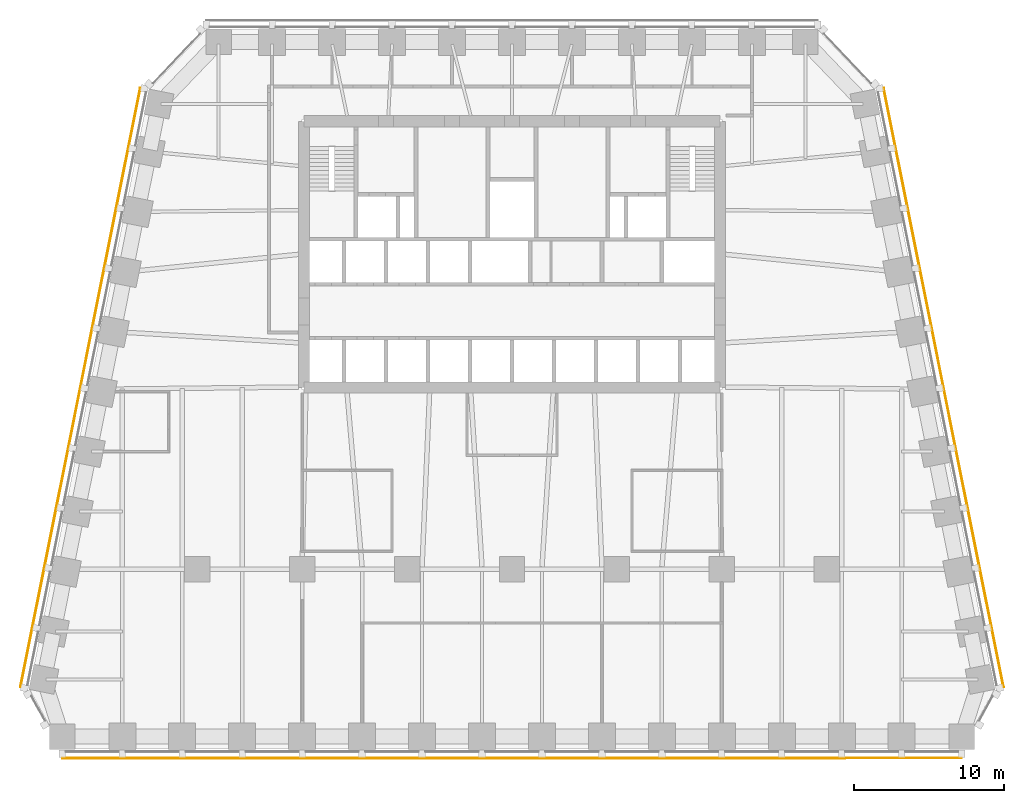
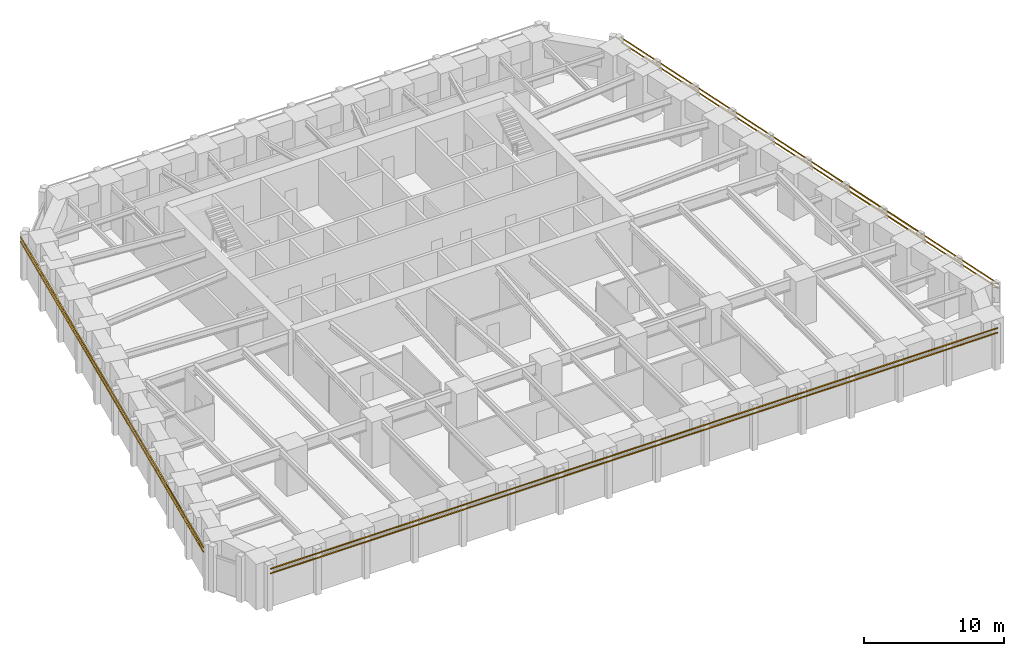
# One storey, part 8 of 9: 6 shading devices.
"""IFC4 building model written with IfcOpenShell, lengths in metres."""

from ifc_helpers import new_model, si_unit, direction, frame, origin, origin_2d, place, context, subcontext, project, spatial, rectangle, extrude, material, material_profile, profile_set, type_object, element, save


model = new_model("IFC4")

# Units and contexts
model_context = context("Model", 3, precision=1e-05, world=origin(), true_north=direction((0.0, 1.0)))
body_context = subcontext(model_context, "Body", "Model", "MODEL_VIEW")
ifc_project = project(units=[si_unit("LENGTHUNIT", "METRE"), si_unit("AREAUNIT", "SQUARE_METRE"), si_unit("VOLUMEUNIT", "CUBIC_METRE"), si_unit("PLANEANGLEUNIT", "RADIAN"), si_unit("MASSUNIT", "GRAM", prefix="KILO")], contexts=[model_context])

# Site, building, storey
site_placement = place(None, origin())
site = spatial("IfcSite", under=ifc_project, at=site_placement, CompositionType="ELEMENT")
building_placement = place(site_placement, origin())
building = spatial("IfcBuilding", under=site, at=building_placement, Name="Isbrekke Arena Tower", CompositionType="ELEMENT")
storey_placement = place(building_placement, frame((0.0, 0.0, 135.0)))
storey = spatial("IfcBuildingStorey", under=building, at=storey_placement, Name="L30", CompositionType="ELEMENT", Elevation=135.0)

# Shading devices
ifc_material = material(Name="Terracotta", Category="masonry")
ifc_material_profile = material_profile(ifc_material, rectangle(XDim=0.06005859375, YDim=0.06005859375, at=origin_2d()), Name="BAGUETTE 60X60")
ifc_profile_set = profile_set([ifc_material_profile], Name="Terracotta")
shading_device_type = type_object("IfcShadingDeviceType", Name="BG1 TERRACOTTA BAGUETTE 60 x 60", PredefinedType="USERDEFINED", material=ifc_profile_set)
for number, where, z_axis, x_axis, name in (
    (1, (-30.0, -18.60498046875, 3.280029296875), (1.0, 0.0, 0.0), (0.0, 1.0, 0.0), "BG1 terracotta baguette S1 L30"),
    (2, (-30.0, -18.60498046875, 3.679931640625), (1.0, 0.0, 0.0), (0.0, 1.0, 0.0), "BG1 terracotta baguette S2 L30"),
):
    element("IfcShadingDevice", number, at=place(storey_placement, frame(where, z_axis=z_axis, x_axis=x_axis)), inside=storey, type_object=shading_device_type, Name=name, ObjectType="TERRACOTTA BAGUETTE", PredefinedType="USERDEFINED", context=body_context, shape_type="SweptSolid", body=[
        extrude(rectangle(XDim=0.06005859375, YDim=0.06005859375, at=origin_2d()), origin(), (0.0, 0.0, 1.0), 60.0),
    ])
for number, where, z_axis, x_axis, name in (
    (3, (32.793212890625, -13.88134765625, 3.280029296875), (-0.196116135138, 0.980580675691, 0.0), (-0.980580675691, -0.196116135138, 0.0), "BG1 terracotta baguette E1 L30"),
    (4, (32.793212890625, -13.88134765625, 3.679931640625), (-0.196116135138, 0.980580675691, 0.0), (-0.980580675691, -0.196116135138, 0.0), "BG1 terracotta baguette E2 L30"),
    (5, (-24.793212890625, 26.11865234375, 3.280029296875), (-0.196116135138, -0.980580675691, 0.0), (0.980580675691, -0.196116135138, 0.0), "BG1 terracotta baguette W1 L30"),
    (6, (-24.793212890625, 26.11865234375, 3.679931640625), (-0.196116135138, -0.980580675691, 0.0), (0.980580675691, -0.196116135138, 0.0), "BG1 terracotta baguette W2 L30"),
):
    element("IfcShadingDevice", number, at=place(storey_placement, frame(where, z_axis=z_axis, x_axis=x_axis)), inside=storey, type_object=shading_device_type, Name=name, ObjectType="TERRACOTTA BAGUETTE", PredefinedType="USERDEFINED", context=body_context, shape_type="SweptSolid", body=[
        extrude(rectangle(XDim=0.06005859375, YDim=0.06005859375, at=origin_2d()), origin(), (0.0, 0.0, 1.0), 40.792236328125),
    ])

save(model, "model.ifc")
